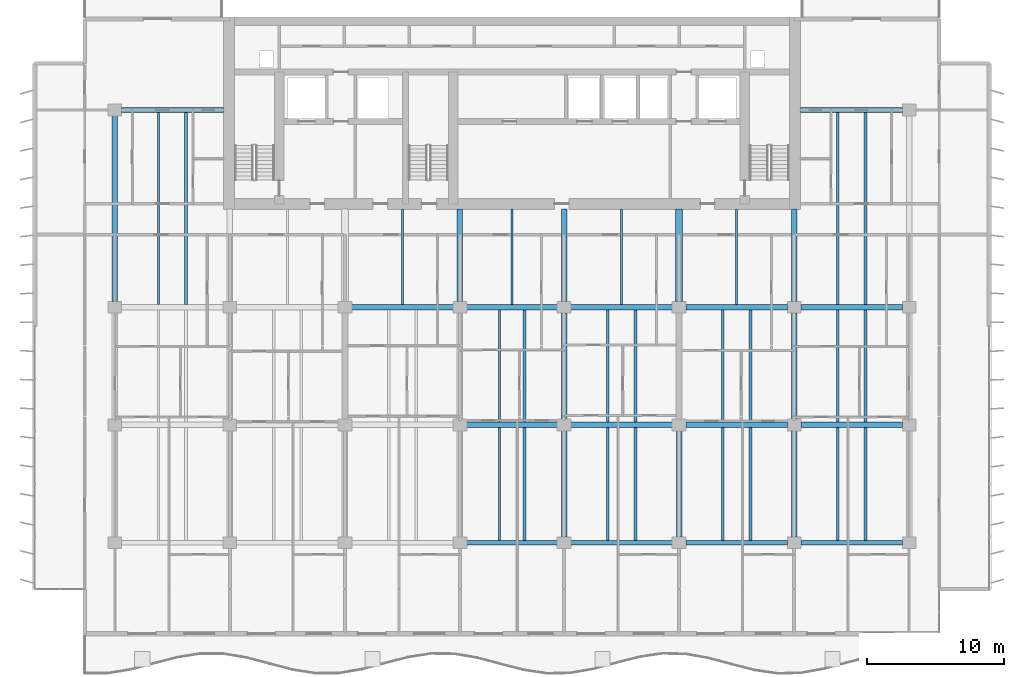
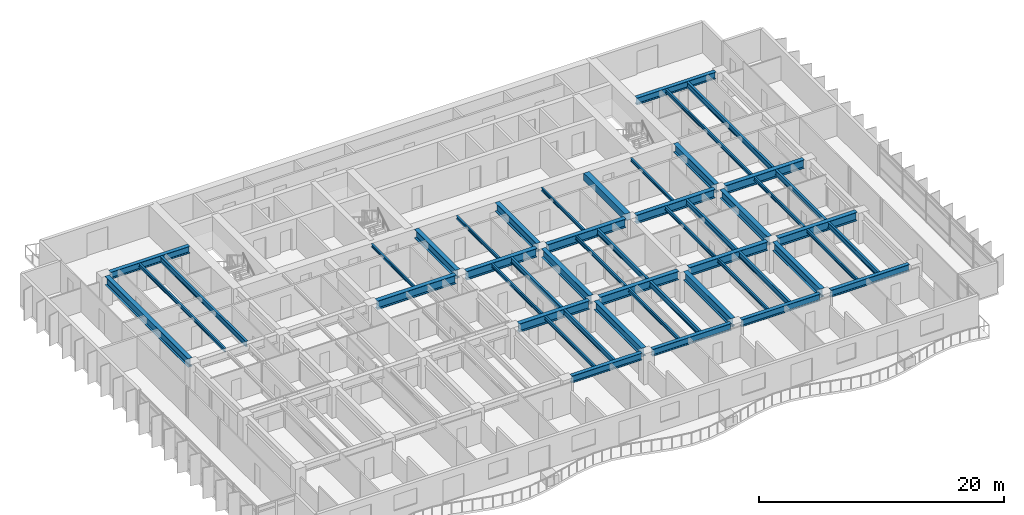
# One storey, part 3 of 18: 49 beams.
"""IFC4 building model written with IfcOpenShell, lengths in metres."""

import ifcopenshell
import ifcopenshell.guid

model = None  # the IFC model being written
_history = None  # IfcOwnerHistory: only IFC2X3 demands one
_inside = {}  # id of a spatial element -> (the spatial element, [elements in it])
_under = {}  # id of a project, library or spatial element -> (it, [spatial elements below it])
_declared = {}  # id of a project -> (the project, [libraries it declares])
_typed = {}  # id of a type object -> (the type object, [elements of that type])
_made_of = {}  # id of a material, layer set ... -> (it, [elements and type objects made of it])


def new_model(schema):
    """Start an empty IFC model of exactly this schema.

    Asked for "IFC4X3", IfcOpenShell would pick the latest addendum, in which some entities
    have other attributes; the version numbers below select the first issue.
    IFC2X3 requires an IfcOwnerHistory on every rooted entity: one is made here for all.
    """
    global model, _history
    if schema == "IFC4X3":
        model = ifcopenshell.file(schema_version=(4, 3, 0, 0))
    else:
        model = ifcopenshell.file(schema=schema)
    _inside.clear()
    _under.clear()
    _declared.clear()
    _typed.clear()
    _made_of.clear()
    _history = None
    if model.schema == "IFC2X3":
        org = make("IfcOrganization", Name="unknown")
        user = make(
            "IfcPersonAndOrganization",
            ThePerson=make("IfcPerson", FamilyName="unknown"),
            TheOrganization=org,
        )
        app = make(
            "IfcApplication",
            ApplicationDeveloper=org,
            Version="unknown",
            ApplicationFullName="unknown",
            ApplicationIdentifier="unknown",
        )
        _history = make(
            "IfcOwnerHistory",
            OwningUser=user,
            OwningApplication=app,
            ChangeAction="ADDED",
            CreationDate=0,
        )
    return model


def make(cls, **values):
    """One entity of the class cls with the attributes given. An attribute that is None is left unset."""
    return model.create_entity(
        cls, **{name: value for name, value in values.items() if value is not None}
    )


def rooted(cls, **values):
    """An entity with a GlobalId (a new one), such as an element, a storey or a relation."""
    return make(cls, GlobalId=ifcopenshell.guid.new(), OwnerHistory=_history, **values)


def si_unit(unit_type, name, prefix=None):
    """IfcSIUnit, for example si_unit("LENGTHUNIT", "METRE", prefix="MILLI")."""
    return make("IfcSIUnit", UnitType=unit_type, Prefix=prefix, Name=name)


def assignment(units):
    """IfcUnitAssignment: the units of a project."""
    return None if units is None else make("IfcUnitAssignment", Units=units)


def point(xyz):
    """IfcCartesianPoint."""
    return None if xyz is None else make("IfcCartesianPoint", Coordinates=xyz)


def direction(xyz):
    """IfcDirection."""
    return None if xyz is None else make("IfcDirection", DirectionRatios=xyz)


def frame(location, z_axis=None, x_axis=None):
    """IfcAxis2Placement3D, a coordinate frame: its origin and axes. An axis left out is left unset."""
    return make(
        "IfcAxis2Placement3D",
        Location=point(location),
        Axis=direction(z_axis),
        RefDirection=direction(x_axis),
    )


def frame_2d(location, x_axis=None):
    """IfcAxis2Placement2D, a coordinate frame in the plane: its origin and x axis."""
    return make(
        "IfcAxis2Placement2D", Location=point(location), RefDirection=direction(x_axis)
    )


def origin():
    """The frame at (0, 0, 0) with its axes left unset."""
    return frame((0.0, 0.0, 0.0))


def origin_2d():
    """The frame at (0, 0) in the plane with its x axis left unset."""
    return frame_2d((0.0, 0.0))


def place(relative_to, where):
    """IfcLocalPlacement: puts the frame where relative to a parent placement (None: the world)."""
    return make(
        "IfcLocalPlacement", PlacementRelTo=relative_to, RelativePlacement=where
    )


def context(
    kind, dimensions, precision=None, world=None, true_north=None, identifier=None
):
    """IfcGeometricRepresentationContext, for example the 3D "Model" context."""
    return make(
        "IfcGeometricRepresentationContext",
        ContextIdentifier=identifier,
        ContextType=kind,
        CoordinateSpaceDimension=dimensions,
        Precision=precision,
        WorldCoordinateSystem=world,
        TrueNorth=true_north,
    )


def subcontext(parent, identifier, kind, view, scale=None):
    """IfcGeometricRepresentationSubContext, for example "Body" below "Model"."""
    return make(
        "IfcGeometricRepresentationSubContext",
        ContextIdentifier=identifier,
        ContextType=kind,
        ParentContext=parent,
        TargetScale=scale,
        TargetView=view,
    )


def project(units=None, contexts=None):
    """IfcProject with its units and contexts."""
    return rooted(
        "IfcProject",
        Name="project",
        RepresentationContexts=contexts,
        UnitsInContext=assignment(units),
    )


def spatial(cls, under=None, at=None, **own):
    """A site, building, storey or space (cls), placed at a placement, below another one or the project."""
    s = rooted(cls, ObjectPlacement=at, **own)
    if under is not None:
        _under.setdefault(under.id(), (under, []))[1].append(s)
    return s


def profile(cls, at=None, kind="AREA", **sizes):
    """A parametric profile (cls). Its sizes go by their IFC names, for example OverallWidth=200.0."""
    return make(cls, ProfileType=kind, Position=at, **sizes)


def rectangle(**sizes):
    """IfcRectangleProfileDef."""
    return profile("IfcRectangleProfileDef", **sizes)


def i_section(**sizes):
    """IfcIShapeProfileDef."""
    return profile("IfcIShapeProfileDef", **sizes)


def extrude(swept, where, along, depth):
    """IfcExtrudedAreaSolid: the profile swept, set in the frame where, extruded along a direction by depth."""
    return make(
        "IfcExtrudedAreaSolid",
        SweptArea=swept,
        Position=where,
        ExtrudedDirection=direction(along),
        Depth=depth,
    )


def shape(context_of_items, identifier, shape_type, items):
    """IfcShapeRepresentation: the items that make up one representation, for example the "Body"."""
    return make(
        "IfcShapeRepresentation",
        ContextOfItems=context_of_items,
        RepresentationIdentifier=identifier,
        RepresentationType=shape_type,
        Items=items,
    )


def material(Name=None, Category=None):
    """IfcMaterial."""
    return make("IfcMaterial", Name=Name, Category=Category)


def material_profile(
    of_material, cross_section, Name=None, Category=None, Priority=None
):
    """IfcMaterialProfile: a cross section and its material."""
    return make(
        "IfcMaterialProfile",
        Name=Name,
        Material=of_material,
        Profile=cross_section,
        Priority=Priority,
        Category=Category,
    )


def profile_set(profiles, Name=None, composite=None):
    """IfcMaterialProfileSet."""
    return make(
        "IfcMaterialProfileSet",
        Name=Name,
        MaterialProfiles=profiles,
        CompositeProfile=composite,
    )


def made_of(thing, what):
    """Note that an element or type object is made of a material, layer set ...; save() writes the relation."""
    if what is not None:
        _made_of.setdefault(what.id(), (what, []))[1].append(thing)
    return thing


def type_object(cls, material=None, **own):
    """A type object (cls), such as IfcWallType, which elements share."""
    return made_of(rooted(cls, **own), material)


def element(
    cls,
    number,
    at=None,
    inside=None,
    cuts=None,
    type_object=None,
    material=None,
    context=None,
    identifier="Body",
    shape_type=None,
    held_by="IfcProductDefinitionShape",
    body=None,
    shapes=None,
    **own,
):
    """One element of the class cls, such as IfcWall. Its Tag is "e" and its number.

    at: its placement. inside: the storey or other place that contains it. cuts: it is an
    opening in that element (IfcRelVoidsElement). A single representation is given by context,
    identifier, shape_type and body (its items); several are given by shapes. held_by: the class
    of the entity that holds the representations. save() writes the other relations.
    """
    e = rooted(cls, Tag="e%d" % number, ObjectPlacement=at, **own)
    if body is not None:
        shapes = [shape(context, identifier, shape_type, body)]
    if shapes is not None:
        e.Representation = make(held_by, Representations=shapes)
    if inside is not None:
        _inside.setdefault(inside.id(), (inside, []))[1].append(e)
    if cuts is not None:
        rooted(
            "IfcRelVoidsElement", RelatingBuildingElement=cuts, RelatedOpeningElement=e
        )
    if type_object is not None:
        _typed.setdefault(type_object.id(), (type_object, []))[1].append(e)
    return made_of(e, material)


def aggregate(whole, parts):
    """IfcRelAggregates: a whole, such as a stair, and the parts it consists of."""
    return rooted("IfcRelAggregates", RelatingObject=whole, RelatedObjects=parts)


def save(model, path):
    """Write the relations noted so far, then the file.

    IfcRelAggregates (storeys below a building ...), IfcRelContainedInSpatialStructure (elements
    in a storey), IfcRelDefinesByType, IfcRelAssociatesMaterial and IfcRelDeclares: one each for
    every whole, place, type object, material and project.
    """
    for whole, parts in _under.values():
        aggregate(whole, parts)
    for where, things in _inside.values():
        rooted(
            "IfcRelContainedInSpatialStructure",
            RelatedElements=things,
            RelatingStructure=where,
        )
    for kind, things in _typed.values():
        rooted("IfcRelDefinesByType", RelatedObjects=things, RelatingType=kind)
    for what, things in _made_of.values():
        rooted("IfcRelAssociatesMaterial", RelatedObjects=things, RelatingMaterial=what)
    for by, libraries in _declared.values():
        rooted("IfcRelDeclares", RelatingContext=by, RelatedDefinitions=libraries)
    model.write(path)


model = new_model("IFC4")

# Units and contexts
model_context = context("Model", 3, precision=1e-05, world=origin(), true_north=direction((0.0, 1.0)))
body_context = subcontext(model_context, "Body", "Model", "MODEL_VIEW")
ifc_project = project(units=[si_unit("LENGTHUNIT", "METRE"), si_unit("AREAUNIT", "SQUARE_METRE"), si_unit("VOLUMEUNIT", "CUBIC_METRE"), si_unit("PLANEANGLEUNIT", "RADIAN"), si_unit("MASSUNIT", "GRAM", prefix="KILO")], contexts=[model_context])

# Site, building, storey
site_placement = place(None, origin())
site = spatial("IfcSite", under=ifc_project, at=site_placement, CompositionType="ELEMENT")
building_placement = place(site_placement, origin())
building = spatial("IfcBuilding", under=site, at=building_placement, Name="Caelmar Bay Residences", CompositionType="ELEMENT")
storey_placement = place(building_placement, frame((0.0, 0.0, 129.0)))
storey = spatial("IfcBuildingStorey", under=building, at=storey_placement, Name="L35", CompositionType="ELEMENT", Elevation=129.0)

# Beams
ifc_material_1 = material(Name="Steel ASTM A992 Grade 50", Category="steel")
ifc_material_profile_1 = material_profile(ifc_material_1, i_section(OverallWidth=0.40087890625, OverallDepth=0.861083984375, WebThickness=0.019775390625, FlangeThickness=0.032470703125, FilletRadius=0.017822265625, at=origin_2d()), Name="W33X221")
ifc_profile_set_1 = profile_set([ifc_material_profile_1], Name="Steel ASTM A992 Grade 50")
beam_type_1 = type_object("IfcBeamType", Name="BM-GRD-W33X221", PredefinedType="BEAM", material=ifc_profile_set_1)
beam_1_placement = place(storey_placement, frame((35.590087890625, 20.800048828125, 2.619384765625), z_axis=(1.0, 0.0, 0.0), x_axis=(0.0, 1.0, 0.0)))
element("IfcBeam", 1, at=beam_1_placement, inside=storey, type_object=beam_type_1, Name="L35 East-West Girder Y=20.80 (35.1-42.7)", PredefinedType="BEAM", context=body_context, shape_type="SweptSolid", body=[
    extrude(i_section(OverallWidth=0.40087890625, OverallDepth=0.861083984375, WebThickness=0.019775390625, FlangeThickness=0.032470703125, FilletRadius=0.017822265625, at=origin_2d()), origin(), (0.0, 0.0, 1.0), 6.619873046875),
])
beam_2_placement = place(storey_placement, frame((43.18994140625, 20.800048828125, 2.619384765625), z_axis=(1.0, 0.0, 0.0), x_axis=(0.0, 1.0, 0.0)))
element("IfcBeam", 2, at=beam_2_placement, inside=storey, type_object=beam_type_1, Name="L35 East-West Girder Y=20.80 (42.7-51.1)", PredefinedType="BEAM", context=body_context, shape_type="SweptSolid", body=[
    extrude(i_section(OverallWidth=0.40087890625, OverallDepth=0.861083984375, WebThickness=0.019775390625, FlangeThickness=0.032470703125, FilletRadius=0.017822265625, at=origin_2d()), origin(), (0.0, 0.0, 1.0), 7.420166015625),
])
for number, where, z_axis, x_axis, name in (
    (3, (51.590087890625, 20.800048828125, 2.619384765625), (1.0, 0.0, 0.0), (0.0, 1.0, 0.0), "L35 East-West Girder Y=20.80 (51.1-59.5)"),
    (4, (59.989990234375, 20.800048828125, 2.619384765625), (1.0, 0.0, 0.0), (0.0, 1.0, 0.0), "L35 East-West Girder Y=20.80 (59.5-67.9)"),
):
    element("IfcBeam", number, at=place(storey_placement, frame(where, z_axis=z_axis, x_axis=x_axis)), inside=storey, type_object=beam_type_1, Name=name, PredefinedType="BEAM", context=body_context, shape_type="SweptSolid", body=[
        extrude(i_section(OverallWidth=0.40087890625, OverallDepth=0.861083984375, WebThickness=0.019775390625, FlangeThickness=0.032470703125, FilletRadius=0.017822265625, at=origin_2d()), origin(), (0.0, 0.0, 1.0), 7.419921875),
    ])
beam_3_placement = place(storey_placement, frame((27.18994140625, 29.39990234375, 2.619384765625), z_axis=(1.0, 0.0, 0.0), x_axis=(0.0, 1.0, 0.0)))
element("IfcBeam", 5, at=beam_3_placement, inside=storey, type_object=beam_type_1, Name="L35 East-West Girder Y=29.40 (26.7-35.1)", PredefinedType="BEAM", context=body_context, shape_type="SweptSolid", body=[
    extrude(i_section(OverallWidth=0.40087890625, OverallDepth=0.861083984375, WebThickness=0.019775390625, FlangeThickness=0.032470703125, FilletRadius=0.017822265625, at=origin_2d()), origin(), (0.0, 0.0, 1.0), 7.420166015625),
])
beam_4_placement = place(storey_placement, frame((35.590087890625, 29.39990234375, 2.619384765625), z_axis=(1.0, 0.0, 0.0), x_axis=(0.0, 1.0, 0.0)))
element("IfcBeam", 6, at=beam_4_placement, inside=storey, type_object=beam_type_1, Name="L35 East-West Girder Y=29.40 (35.1-42.7)", PredefinedType="BEAM", context=body_context, shape_type="SweptSolid", body=[
    extrude(i_section(OverallWidth=0.40087890625, OverallDepth=0.861083984375, WebThickness=0.019775390625, FlangeThickness=0.032470703125, FilletRadius=0.017822265625, at=origin_2d()), origin(), (0.0, 0.0, 1.0), 6.619873046875),
])
beam_5_placement = place(storey_placement, frame((43.18994140625, 29.39990234375, 2.619384765625), z_axis=(1.0, 0.0, 0.0), x_axis=(0.0, 1.0, 0.0)))
element("IfcBeam", 7, at=beam_5_placement, inside=storey, type_object=beam_type_1, Name="L35 East-West Girder Y=29.40 (42.7-51.1)", PredefinedType="BEAM", context=body_context, shape_type="SweptSolid", body=[
    extrude(i_section(OverallWidth=0.40087890625, OverallDepth=0.861083984375, WebThickness=0.019775390625, FlangeThickness=0.032470703125, FilletRadius=0.017822265625, at=origin_2d()), origin(), (0.0, 0.0, 1.0), 7.420166015625),
])
for number, where, z_axis, x_axis, name in (
    (8, (51.590087890625, 29.39990234375, 2.619384765625), (1.0, 0.0, 0.0), (0.0, 1.0, 0.0), "L35 East-West Girder Y=29.40 (51.1-59.5)"),
    (9, (59.989990234375, 29.39990234375, 2.619384765625), (1.0, 0.0, 0.0), (0.0, 1.0, 0.0), "L35 East-West Girder Y=29.40 (59.5-67.9)"),
):
    element("IfcBeam", number, at=place(storey_placement, frame(where, z_axis=z_axis, x_axis=x_axis)), inside=storey, type_object=beam_type_1, Name=name, PredefinedType="BEAM", context=body_context, shape_type="SweptSolid", body=[
        extrude(i_section(OverallWidth=0.40087890625, OverallDepth=0.861083984375, WebThickness=0.019775390625, FlangeThickness=0.032470703125, FilletRadius=0.017822265625, at=origin_2d()), origin(), (0.0, 0.0, 1.0), 7.419921875),
    ])
beam_6_placement = place(storey_placement, frame((9.89990234375, 29.81494140625, 2.619384765625), z_axis=(0.0, 1.0, 0.0), x_axis=(-1.0, 0.0, 0.0)))
element("IfcBeam", 10, at=beam_6_placement, inside=storey, type_object=beam_type_1, Name="L35 North-South Girder X=9.90 (29.4-43.8)", PredefinedType="BEAM", context=body_context, shape_type="SweptSolid", body=[
    extrude(i_section(OverallWidth=0.40087890625, OverallDepth=0.861083984375, WebThickness=0.019775390625, FlangeThickness=0.032470703125, FilletRadius=0.017822265625, at=origin_2d()), origin(), (0.0, 0.0, 1.0), 13.570068359375),
])
for number, where, z_axis, x_axis, name in (
    (11, (35.10009765625, 29.81494140625, 2.619384765625), (0.0, 1.0, 0.0), (-1.0, 0.0, 0.0), "L35 Core Tie Girder X=35.10"),
    (12, (42.699951171875, 29.81494140625, 2.619384765625), (0.0, 1.0, 0.0), (-1.0, 0.0, 0.0), "L35 Core Tie Girder X=42.70"),
):
    element("IfcBeam", number, at=place(storey_placement, frame(where, z_axis=z_axis, x_axis=x_axis)), inside=storey, type_object=beam_type_1, Name=name, PredefinedType="BEAM", context=body_context, shape_type="SweptSolid", body=[
        extrude(i_section(OverallWidth=0.40087890625, OverallDepth=0.861083984375, WebThickness=0.019775390625, FlangeThickness=0.032470703125, FilletRadius=0.017822265625, at=origin_2d()), origin(), (0.0, 0.0, 1.0), 6.735107421875),
    ])
for number, where, z_axis, x_axis, name in (
    (13, (42.699951171875, 12.614990234375, 2.619384765625), (0.0, 1.0, 0.0), (-1.0, 0.0, 0.0), "L35 North-South Girder X=42.70 (12.2-20.8)"),
    (14, (42.699951171875, 21.215087890625, 2.619384765625), (0.0, 1.0, 0.0), (-1.0, 0.0, 0.0), "L35 North-South Girder X=42.70 (20.8-29.4)"),
    (15, (51.10009765625, 12.614990234375, 2.619384765625), (0.0, 1.0, 0.0), (-1.0, 0.0, 0.0), "L35 North-South Girder X=51.10 (12.2-20.8)"),
):
    element("IfcBeam", number, at=place(storey_placement, frame(where, z_axis=z_axis, x_axis=x_axis)), inside=storey, type_object=beam_type_1, Name=name, PredefinedType="BEAM", context=body_context, shape_type="SweptSolid", body=[
        extrude(i_section(OverallWidth=0.40087890625, OverallDepth=0.861083984375, WebThickness=0.019775390625, FlangeThickness=0.032470703125, FilletRadius=0.017822265625, at=origin_2d()), origin(), (0.0, 0.0, 1.0), 7.77001953125),
    ])
beam_7_placement = place(storey_placement, frame((59.5, 29.81494140625, 2.619384765625), z_axis=(0.0, 1.0, 0.0), x_axis=(-1.0, 0.0, 0.0)))
element("IfcBeam", 16, at=beam_7_placement, inside=storey, type_object=beam_type_1, Name="L35 Core Tie Girder X=59.50", PredefinedType="BEAM", context=body_context, shape_type="SweptSolid", body=[
    extrude(i_section(OverallWidth=0.40087890625, OverallDepth=0.861083984375, WebThickness=0.019775390625, FlangeThickness=0.032470703125, FilletRadius=0.017822265625, at=origin_2d()), origin(), (0.0, 0.0, 1.0), 6.735107421875),
])
for number, where, z_axis, x_axis, name in (
    (17, (59.5, 12.614990234375, 2.619384765625), (0.0, 1.0, 0.0), (-1.0, 0.0, 0.0), "L35 North-South Girder X=59.50 (12.2-20.8)"),
    (18, (59.5, 21.215087890625, 2.619384765625), (0.0, 1.0, 0.0), (-1.0, 0.0, 0.0), "L35 North-South Girder X=59.50 (20.8-29.4)"),
):
    element("IfcBeam", number, at=place(storey_placement, frame(where, z_axis=z_axis, x_axis=x_axis)), inside=storey, type_object=beam_type_1, Name=name, PredefinedType="BEAM", context=body_context, shape_type="SweptSolid", body=[
        extrude(i_section(OverallWidth=0.40087890625, OverallDepth=0.861083984375, WebThickness=0.019775390625, FlangeThickness=0.032470703125, FilletRadius=0.017822265625, at=origin_2d()), origin(), (0.0, 0.0, 1.0), 7.77001953125),
    ])
ifc_material_profile_2 = material_profile(ifc_material_1, i_section(OverallWidth=0.1650390625, OverallDepth=0.31005859375, WebThickness=0.005859375, FlangeThickness=0.009765625, FilletRadius=0.007568359375, at=origin_2d()), Name="W12X26")
ifc_profile_set_2 = profile_set([ifc_material_profile_2], Name="Steel ASTM A992 Grade 50")
beam_type_2 = type_object("IfcBeamType", Name="BM-JST-W12X26", PredefinedType="JOIST", material=ifc_profile_set_2)
for number, where, z_axis, x_axis, name in (
    (19, (30.89990234375, 29.6005859375, 2.89501953125), (0.0, 1.0, 0.0), (-1.0, 0.0, 0.0), "L35 Core-Band Composite Joist 30"),
    (20, (38.89990234375, 29.6005859375, 2.89501953125), (0.0, 1.0, 0.0), (-1.0, 0.0, 0.0), "L35 Core-Band Composite Joist 31"),
    (21, (46.89990234375, 29.6005859375, 2.89501953125), (0.0, 1.0, 0.0), (-1.0, 0.0, 0.0), "L35 Core-Band Composite Joist 32"),
    (22, (55.300048828125, 29.6005859375, 2.89501953125), (0.0, 1.0, 0.0), (-1.0, 0.0, 0.0), "L35 Core-Band Composite Joist 33"),
):
    element("IfcBeam", number, at=place(storey_placement, frame(where, z_axis=z_axis, x_axis=x_axis)), inside=storey, type_object=beam_type_2, Name=name, PredefinedType="JOIST", context=body_context, shape_type="SweptSolid", body=[
        extrude(i_section(OverallWidth=0.1650390625, OverallDepth=0.31005859375, WebThickness=0.005859375, FlangeThickness=0.009765625, FilletRadius=0.007568359375, at=origin_2d()), origin(), (0.0, 0.0, 1.0), 6.949462890625),
    ])
ifc_material_profile_3 = material_profile(ifc_material_1, i_section(OverallWidth=0.1708984375, OverallDepth=0.35595703125, WebThickness=0.007080078125, FlangeThickness=0.01171875, FilletRadius=0.007568359375, at=origin_2d()), Name="W14X34")
ifc_profile_set_3 = profile_set([ifc_material_profile_3], Name="Steel ASTM A992 Grade 50")
beam_type_3 = type_object("IfcBeamType", Name="BM-JST-W14X34", PredefinedType="JOIST", material=ifc_profile_set_3)
for number, where, z_axis, x_axis, name in (
    (23, (37.988037109375, 12.3779296875, 2.8720703125), (0.0, 1.0, 0.0), (-1.0, 0.0, 0.0), "L35 Composite Floor Joist 7"),
    (24, (45.89208984375, 12.3779296875, 2.8720703125), (0.0, 1.0, 0.0), (-1.0, 0.0, 0.0), "L35 Composite Floor Joist 9"),
    (25, (54.2919921875, 12.3779296875, 2.8720703125), (0.0, 1.0, 0.0), (-1.0, 0.0, 0.0), "L35 Composite Floor Joist 11"),
    (26, (62.69189453125, 12.3779296875, 2.8720703125), (0.0, 1.0, 0.0), (-1.0, 0.0, 0.0), "L35 Composite Floor Joist 13"),
):
    element("IfcBeam", number, at=place(storey_placement, frame(where, z_axis=z_axis, x_axis=x_axis)), inside=storey, type_object=beam_type_3, Name=name, PredefinedType="JOIST", context=body_context, shape_type="SweptSolid", body=[
        extrude(i_section(OverallWidth=0.1708984375, OverallDepth=0.35595703125, WebThickness=0.007080078125, FlangeThickness=0.01171875, FilletRadius=0.007568359375, at=origin_2d()), origin(), (0.0, 0.0, 1.0), 8.2216796875),
    ])
for number, where, z_axis, x_axis, name in (
    (27, (37.988037109375, 21.00048828125, 2.8720703125), (0.0, 1.0, 0.0), (-1.0, 0.0, 0.0), "L35 Composite Floor Joist 21"),
    (28, (45.89208984375, 21.00048828125, 2.8720703125), (0.0, 1.0, 0.0), (-1.0, 0.0, 0.0), "L35 Composite Floor Joist 23"),
    (29, (54.2919921875, 21.00048828125, 2.8720703125), (0.0, 1.0, 0.0), (-1.0, 0.0, 0.0), "L35 Composite Floor Joist 25"),
    (30, (62.69189453125, 21.00048828125, 2.8720703125), (0.0, 1.0, 0.0), (-1.0, 0.0, 0.0), "L35 Composite Floor Joist 27"),
):
    element("IfcBeam", number, at=place(storey_placement, frame(where, z_axis=z_axis, x_axis=x_axis)), inside=storey, type_object=beam_type_3, Name=name, PredefinedType="JOIST", context=body_context, shape_type="SweptSolid", body=[
        extrude(i_section(OverallWidth=0.1708984375, OverallDepth=0.35595703125, WebThickness=0.007080078125, FlangeThickness=0.01171875, FilletRadius=0.007568359375, at=origin_2d()), origin(), (0.0, 0.0, 1.0), 8.198974609375),
    ])
for number, where, z_axis, x_axis, name in (
    (31, (13.092041015625, 29.6005859375, 2.8720703125), (0.0, 1.0, 0.0), (-1.0, 0.0, 0.0), "L35 Composite Floor Joist 34"),
    (32, (62.69189453125, 29.6005859375, 2.8720703125), (0.0, 1.0, 0.0), (-1.0, 0.0, 0.0), "L35 Composite Floor Joist 36"),
):
    element("IfcBeam", number, at=place(storey_placement, frame(where, z_axis=z_axis, x_axis=x_axis)), inside=storey, type_object=beam_type_3, Name=name, PredefinedType="JOIST", context=body_context, shape_type="SweptSolid", body=[
        extrude(i_section(OverallWidth=0.1708984375, OverallDepth=0.35595703125, WebThickness=0.007080078125, FlangeThickness=0.01171875, FilletRadius=0.007568359375, at=origin_2d()), origin(), (0.0, 0.0, 1.0), 14.021484375),
    ])
ifc_material_profile_4 = material_profile(ifc_material_1, i_section(OverallWidth=0.2099609375, OverallDepth=0.535888671875, WebThickness=0.010986328125, FlangeThickness=0.017333984375, FilletRadius=0.0126953125, at=origin_2d()), Name="W21X68")
ifc_profile_set_4 = profile_set([ifc_material_profile_4], Name="Steel ASTM A992 Grade 50")
beam_type_4 = type_object("IfcBeamType", Name="BM-JST-W21X68", PredefinedType="JOIST", material=ifc_profile_set_4)
for number, where, z_axis, x_axis, name in (
    (33, (39.81201171875, 12.3779296875, 2.781982421875), (0.0, 1.0, 0.0), (-1.0, 0.0, 0.0), "L35 Composite Floor Joist 8"),
    (34, (47.907958984375, 12.3779296875, 2.781982421875), (0.0, 1.0, 0.0), (-1.0, 0.0, 0.0), "L35 Composite Floor Joist 10"),
    (35, (56.30810546875, 12.3779296875, 2.781982421875), (0.0, 1.0, 0.0), (-1.0, 0.0, 0.0), "L35 Composite Floor Joist 12"),
    (36, (64.7080078125, 12.3779296875, 2.781982421875), (0.0, 1.0, 0.0), (-1.0, 0.0, 0.0), "L35 Composite Floor Joist 14"),
):
    element("IfcBeam", number, at=place(storey_placement, frame(where, z_axis=z_axis, x_axis=x_axis)), inside=storey, type_object=beam_type_4, Name=name, PredefinedType="JOIST", context=body_context, shape_type="SweptSolid", body=[
        extrude(i_section(OverallWidth=0.2099609375, OverallDepth=0.535888671875, WebThickness=0.010986328125, FlangeThickness=0.017333984375, FilletRadius=0.0126953125, at=origin_2d()), origin(), (0.0, 0.0, 1.0), 8.2216796875),
    ])
for number, where, z_axis, x_axis, name in (
    (37, (39.81201171875, 21.00048828125, 2.781982421875), (0.0, 1.0, 0.0), (-1.0, 0.0, 0.0), "L35 Composite Floor Joist 22"),
    (38, (47.907958984375, 21.00048828125, 2.781982421875), (0.0, 1.0, 0.0), (-1.0, 0.0, 0.0), "L35 Composite Floor Joist 24"),
    (39, (56.30810546875, 21.00048828125, 2.781982421875), (0.0, 1.0, 0.0), (-1.0, 0.0, 0.0), "L35 Composite Floor Joist 26"),
    (40, (64.7080078125, 21.00048828125, 2.781982421875), (0.0, 1.0, 0.0), (-1.0, 0.0, 0.0), "L35 Composite Floor Joist 28"),
):
    element("IfcBeam", number, at=place(storey_placement, frame(where, z_axis=z_axis, x_axis=x_axis)), inside=storey, type_object=beam_type_4, Name=name, PredefinedType="JOIST", context=body_context, shape_type="SweptSolid", body=[
        extrude(i_section(OverallWidth=0.2099609375, OverallDepth=0.535888671875, WebThickness=0.010986328125, FlangeThickness=0.017333984375, FilletRadius=0.0126953125, at=origin_2d()), origin(), (0.0, 0.0, 1.0), 8.198974609375),
    ])
for number, where, z_axis, x_axis, name in (
    (41, (15.10791015625, 29.6005859375, 2.781982421875), (0.0, 1.0, 0.0), (-1.0, 0.0, 0.0), "L35 Composite Floor Joist 35"),
    (42, (64.7080078125, 29.6005859375, 2.781982421875), (0.0, 1.0, 0.0), (-1.0, 0.0, 0.0), "L35 Composite Floor Joist 37"),
):
    element("IfcBeam", number, at=place(storey_placement, frame(where, z_axis=z_axis, x_axis=x_axis)), inside=storey, type_object=beam_type_4, Name=name, PredefinedType="JOIST", context=body_context, shape_type="SweptSolid", body=[
        extrude(i_section(OverallWidth=0.2099609375, OverallDepth=0.535888671875, WebThickness=0.010986328125, FlangeThickness=0.017333984375, FilletRadius=0.0126953125, at=origin_2d()), origin(), (0.0, 0.0, 1.0), 14.021484375),
    ])
ifc_material_2 = material(Name="Concrete f'c 55 MPa (8,000 psi)", Category="concrete")
ifc_material_profile_5 = material_profile(ifc_material_2, rectangle(XDim=0.5, YDim=0.699951171875, at=origin_2d()), Name="RC-BM-500X700")
ifc_profile_set_5 = profile_set([ifc_material_profile_5], Name="Concrete f'c 55 MPa (8,000 psi)")
beam_type_5 = type_object("IfcBeamType", Name="BM-RC-500X700", PredefinedType="LINTEL", material=ifc_profile_set_5)
beam_8_placement = place(storey_placement, frame((51.10009765625, 29.81494140625, 2.699951171875), z_axis=(0.0, 1.0, 0.0), x_axis=(-1.0, 0.0, 0.0)))
element("IfcBeam", 43, at=beam_8_placement, inside=storey, type_object=beam_type_5, Name="L35 Shear-Wall Corridor Coupling Lintel E8", PredefinedType="LINTEL", context=body_context, shape_type="SweptSolid", body=[
    extrude(rectangle(XDim=0.5, YDim=0.699951171875, at=origin_2d()), origin(), (0.0, 0.0, 1.0), 6.735107421875),
])
ifc_material_profile_6 = material_profile(ifc_material_1, i_section(OverallWidth=0.35595703125, OverallDepth=0.696044921875, WebThickness=0.015380859375, FlangeThickness=0.02490234375, FilletRadius=0.01513671875, at=origin_2d()), Name="W27X146")
ifc_profile_set_6 = profile_set([ifc_material_profile_6], Name="Steel ASTM A992 Grade 50")
beam_type_6 = type_object("IfcBeamType", Name="BM-SPN-W27X146", PredefinedType="SPANDREL", material=ifc_profile_set_6)
beam_9_placement = place(storey_placement, frame((35.590087890625, 12.199951171875, 2.701904296875), z_axis=(1.0, 0.0, 0.0), x_axis=(0.0, 1.0, 0.0)))
element("IfcBeam", 44, at=beam_9_placement, inside=storey, type_object=beam_type_6, Name="L35 East-West Girder Y=12.20 (35.1-42.7)", PredefinedType="SPANDREL", context=body_context, shape_type="SweptSolid", body=[
    extrude(i_section(OverallWidth=0.35595703125, OverallDepth=0.696044921875, WebThickness=0.015380859375, FlangeThickness=0.02490234375, FilletRadius=0.01513671875, at=origin_2d()), origin(), (0.0, 0.0, 1.0), 6.619873046875),
])
beam_10_placement = place(storey_placement, frame((43.18994140625, 12.199951171875, 2.701904296875), z_axis=(1.0, 0.0, 0.0), x_axis=(0.0, 1.0, 0.0)))
element("IfcBeam", 45, at=beam_10_placement, inside=storey, type_object=beam_type_6, Name="L35 East-West Girder Y=12.20 (42.7-51.1)", PredefinedType="SPANDREL", context=body_context, shape_type="SweptSolid", body=[
    extrude(i_section(OverallWidth=0.35595703125, OverallDepth=0.696044921875, WebThickness=0.015380859375, FlangeThickness=0.02490234375, FilletRadius=0.01513671875, at=origin_2d()), origin(), (0.0, 0.0, 1.0), 7.420166015625),
])
for number, where, z_axis, x_axis, name in (
    (46, (51.590087890625, 12.199951171875, 2.701904296875), (1.0, 0.0, 0.0), (0.0, 1.0, 0.0), "L35 East-West Girder Y=12.20 (51.1-59.5)"),
    (47, (59.989990234375, 12.199951171875, 2.701904296875), (1.0, 0.0, 0.0), (0.0, 1.0, 0.0), "L35 East-West Girder Y=12.20 (59.5-67.9)"),
):
    element("IfcBeam", number, at=place(storey_placement, frame(where, z_axis=z_axis, x_axis=x_axis)), inside=storey, type_object=beam_type_6, Name=name, PredefinedType="SPANDREL", context=body_context, shape_type="SweptSolid", body=[
        extrude(i_section(OverallWidth=0.35595703125, OverallDepth=0.696044921875, WebThickness=0.015380859375, FlangeThickness=0.02490234375, FilletRadius=0.01513671875, at=origin_2d()), origin(), (0.0, 0.0, 1.0), 7.419921875),
    ])
beam_11_placement = place(storey_placement, frame((10.389892578125, 43.800048828125, 2.701904296875), z_axis=(1.0, 0.0, 0.0), x_axis=(0.0, 1.0, 0.0)))
element("IfcBeam", 48, at=beam_11_placement, inside=storey, type_object=beam_type_6, Name="L35 North-West Wing Core Tie Girder", PredefinedType="SPANDREL", context=body_context, shape_type="SweptSolid", body=[
    extrude(i_section(OverallWidth=0.35595703125, OverallDepth=0.696044921875, WebThickness=0.015380859375, FlangeThickness=0.02490234375, FilletRadius=0.01513671875, at=origin_2d()), origin(), (0.0, 0.0, 1.0), 7.460205078125),
])
beam_12_placement = place(storey_placement, frame((59.949951171875, 43.800048828125, 2.701904296875), z_axis=(1.0, 0.0, 0.0), x_axis=(0.0, 1.0, 0.0)))
element("IfcBeam", 49, at=beam_12_placement, inside=storey, type_object=beam_type_6, Name="L35 North-East Wing Core Tie Girder", PredefinedType="SPANDREL", context=body_context, shape_type="SweptSolid", body=[
    extrude(i_section(OverallWidth=0.35595703125, OverallDepth=0.696044921875, WebThickness=0.015380859375, FlangeThickness=0.02490234375, FilletRadius=0.01513671875, at=origin_2d()), origin(), (0.0, 0.0, 1.0), 7.4599609375),
])

save(model, "model.ifc")
